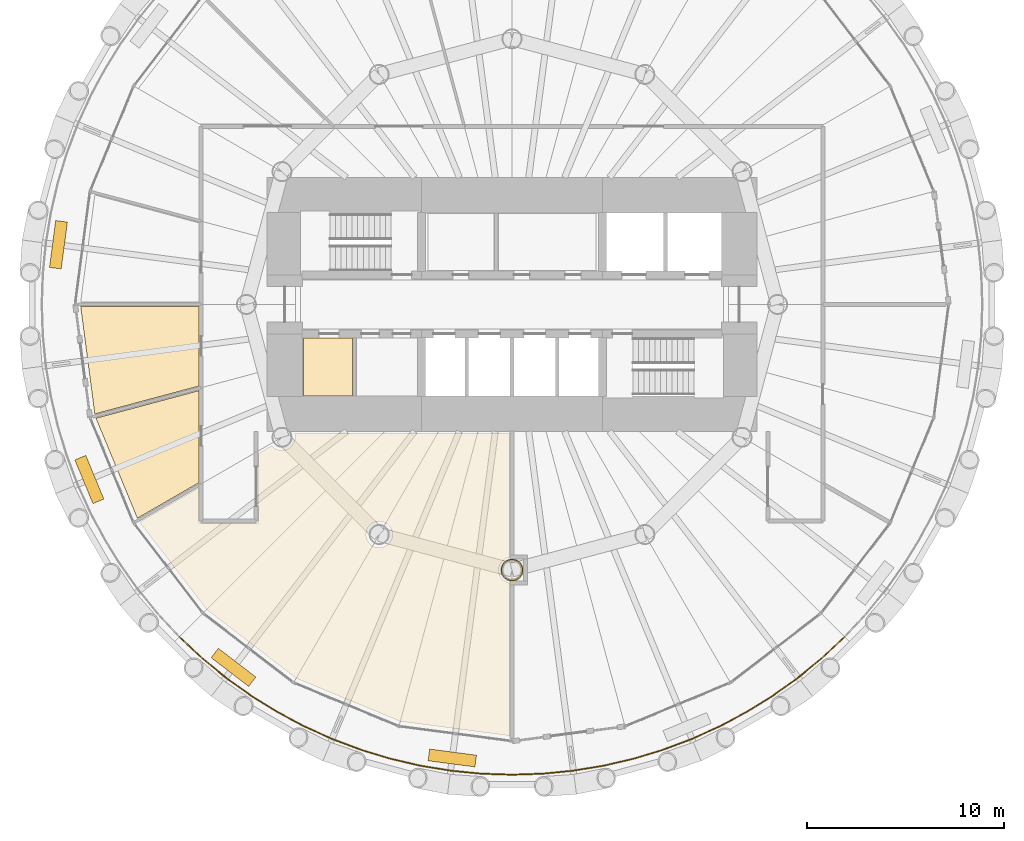
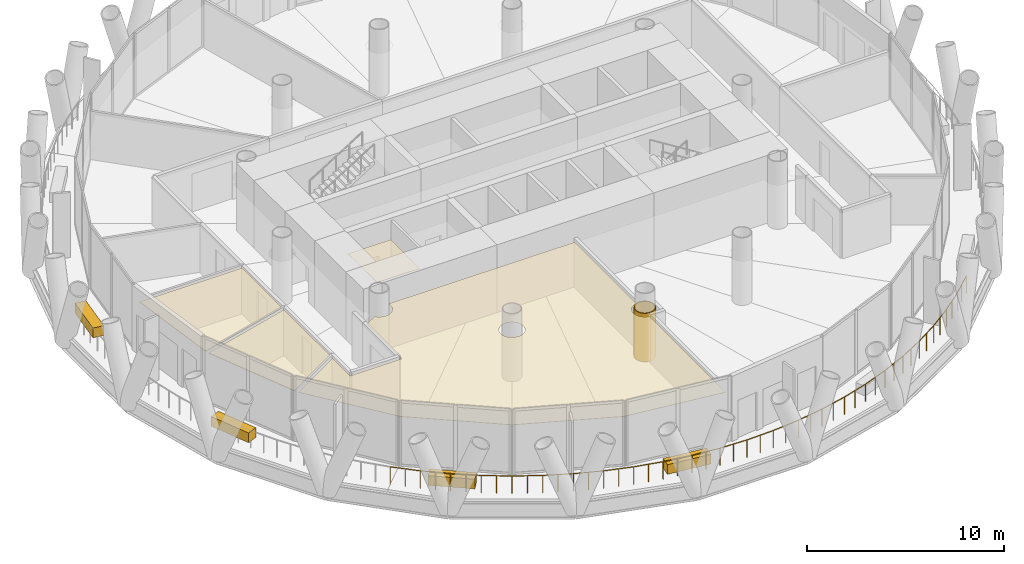
# One storey, part 11 of 14: 9 coverings, 1 railing.
"""IFC4 building model written with IfcOpenShell, lengths in metres."""

from ifc_helpers import new_model, si_unit, direction, frame, origin, origin_2d, place, context, subcontext, project, spatial, polyline, rectangle, circle, outline, extrude, material, layer, layer_set, type_object, element, save


model = new_model("IFC4")

# Units and contexts
model_context = context("Model", 3, precision=1e-05, world=origin(), true_north=direction((0.0, 1.0)))
body_context = subcontext(model_context, "Body", "Model", "MODEL_VIEW")
ifc_project = project(units=[si_unit("LENGTHUNIT", "METRE"), si_unit("AREAUNIT", "SQUARE_METRE"), si_unit("VOLUMEUNIT", "CUBIC_METRE"), si_unit("PLANEANGLEUNIT", "RADIAN"), si_unit("MASSUNIT", "GRAM", prefix="KILO")], contexts=[model_context])

# Site, building, storey
site_placement = place(None, origin())
site = spatial("IfcSite", under=ifc_project, at=site_placement, CompositionType="ELEMENT")
building_placement = place(site_placement, origin())
building = spatial("IfcBuilding", under=site, at=building_placement, Name="Qaws Media Tower", CompositionType="ELEMENT")
storey_placement = place(building_placement, frame((0.0, 0.0, 168.800048828125)))
storey = spatial("IfcBuildingStorey", under=building, at=storey_placement, Name="L38", CompositionType="ELEMENT", Elevation=168.800048828125)

# Coverings
ifc_material_1 = material(Name="40 perforated acoustic panels with mineral wool backing, suspended", Category="mineral fibre")
ifc_layer_1 = layer(ifc_material_1, 0.0400390625)
ifc_layer_set_1 = layer_set([ifc_layer_1], Name="Acoustic panel ceiling 40")
covering_type_1 = type_object("IfcCoveringType", Name="Acoustic panel ceiling 40", PredefinedType="CEILING", material=ifc_layer_set_1)
covering_1_placement = place(storey_placement, frame((0.0, 0.0, 2.849853515625)))
element("IfcCovering", 1, at=covering_1_placement, inside=storey, type_object=covering_type_1, Name="CL3 ceiling L38-06 Interview room", PredefinedType="CEILING", context=body_context, shape_type="SweptSolid", body=[
    extrude(outline(polyline([(38.07958984375, 49.887451171875), (44.08740234375, 49.887451171875), (44.08740234375, 45.852783203125), (38.79736328125, 44.435302734375), (38.07958984375, 49.887451171875)])), origin(), (0.0, 0.0, 1.0), 0.0400390625),
])
covering_2_placement = place(storey_placement, frame((0.0, 0.0, 2.849853515625)))
element("IfcCovering", 2, at=covering_2_placement, inside=storey, type_object=covering_type_1, Name="CL3 ceiling L38-07 Interview room", PredefinedType="CEILING", context=body_context, shape_type="SweptSolid", body=[
    extrude(outline(polyline([(38.855712890625, 44.218017578125), (44.08740234375, 45.619873046875), (44.08740234375, 40.94287109375), (40.960205078125, 39.13720703125), (38.855712890625, 44.218017578125)])), origin(), (0.0, 0.0, 1.0), 0.0400390625),
])

# Railing
ifc_material_2 = material(Name="Stainless steel and glass guard", Category="steel")
railing_type = type_object("IfcRailingType", Name="Balcony guard 1100", PredefinedType="GUARDRAIL", material=ifc_material_2)
railing_placement = place(storey_placement, frame((43.10009765625, 33.10009765625, 0.0)))
element("IfcRailing", 3, at=railing_placement, inside=storey, type_object=railing_type, Name="GR1 balcony guard L38-3", PredefinedType="GUARDRAIL", context=body_context, shape_type="SweptSolid", body=[
    extrude(circle(Radius=0.02392578125, at=origin_2d()), frame((0.0, 0.0, 1.076171875), z_axis=(0.729907055761, -0.683546406582, 0.0), x_axis=(0.683546406582, 0.729907055761, 0.0)), (0.0, 0.0, 1.0), 1.56396484375),
    extrude(circle(Radius=0.02392578125, at=origin_2d()), frame((1.1416015625, -1.069091796875, 1.076171875), z_axis=(0.773010558404, -0.63439315617, 0.0), x_axis=(0.63439315617, 0.773010558404, 0.0)), (0.0, 0.0, 1.0), 1.56396484375),
    extrude(circle(Radius=0.02392578125, at=origin_2d()), frame((2.3505859375, -2.061279296875, 1.076171875), z_axis=(0.812867633401, -0.582448461728, 0.0), x_axis=(0.582448461728, 0.812867633401, 0.0)), (0.0, 0.0, 1.0), 1.56396484375),
    extrude(circle(Radius=0.02392578125, at=origin_2d()), frame((3.621826171875, -2.97216796875, 1.076171875), z_axis=(0.849188837799, -0.528089308506, 0.0), x_axis=(0.528089308506, 0.849188837799, 0.0)), (0.0, 0.0, 1.0), 1.56396484375),
    extrude(circle(Radius=0.02392578125, at=origin_2d()), frame((4.949951171875, -3.798095703125, 1.076171875), z_axis=(0.881885786947, -0.471463104369, 0.0), x_axis=(0.471463104369, 0.881885786947, 0.0)), (0.0, 0.0, 1.0), 1.56396484375),
    extrude(circle(Radius=0.02392578125, at=origin_2d()), frame((6.3291015625, -4.535400390625, 1.076171875), z_axis=(0.91085232909, -0.412732400705, 0.0), x_axis=(0.412732400705, 0.91085232909, 0.0)), (0.0, 0.0, 1.0), 1.56396484375),
    extrude(circle(Radius=0.02392578125, at=origin_2d()), frame((7.753662109375, -5.180908203125, 1.076171875), z_axis=(0.935943724026, -0.352149606638, 0.0), x_axis=(0.352149606638, 0.935943724026, 0.0)), (0.0, 0.0, 1.0), 1.56396484375),
    extrude(circle(Radius=0.02392578125, at=origin_2d()), frame((9.217529296875, -5.731689453125, 1.076171875), z_axis=(0.956919309344, -0.290353982933, 0.0), x_axis=(0.290353982933, 0.956919309344, 0.0)), (0.0, 0.0, 1.0), 1.56396484375),
    extrude(circle(Radius=0.02392578125, at=origin_2d()), frame((10.714111328125, -6.185791015625, 1.076171875), z_axis=(0.973902199661, -0.226968071535, 0.0), x_axis=(0.226968071535, 0.973902199661, 0.0)), (0.0, 0.0, 1.0), 1.56396484375),
    extrude(circle(Radius=0.02392578125, at=origin_2d()), frame((12.2373046875, -6.540771484375, 1.076171875), z_axis=(0.986629183023, -0.162981149854, 0.0), x_axis=(0.162981149854, 0.986629183023, 0.0)), (0.0, 0.0, 1.0), 1.56396484375),
    extrude(circle(Radius=0.02392578125, at=origin_2d()), frame((13.7802734375, -6.795654296875, 1.076171875), z_axis=(0.995182940267, -0.098035276312, 0.0), x_axis=(0.098035276312, 0.995182940267, 0.0)), (0.0, 0.0, 1.0), 1.56396484375),
    extrude(circle(Radius=0.02392578125, at=origin_2d()), frame((15.336669921875, -6.948974609375, 1.076171875), z_axis=(0.999467709508, -0.032623575088, 0.0), x_axis=(0.032623575088, 0.999467709508, 0.0)), (0.0, 0.0, 1.0), 1.56396484375),
    extrude(circle(Radius=0.02392578125, at=origin_2d()), frame((16.89990234375, -7.0, 1.076171875), z_axis=(0.999467709508, 0.032623575088, 0.0), x_axis=(-0.032623575088, 0.999467709508, 0.0)), (0.0, 0.0, 1.0), 1.56396484375),
    extrude(circle(Radius=0.02392578125, at=origin_2d()), frame((18.463134765625, -6.948974609375, 1.076171875), z_axis=(0.995182940267, 0.098035276312, 0.0), x_axis=(-0.098035276312, 0.995182940267, 0.0)), (0.0, 0.0, 1.0), 1.56396484375),
    extrude(circle(Radius=0.02392578125, at=origin_2d()), frame((20.01953125, -6.795654296875, 1.076171875), z_axis=(0.986629183023, 0.162981149854, 0.0), x_axis=(-0.162981149854, 0.986629183023, 0.0)), (0.0, 0.0, 1.0), 1.56396484375),
    extrude(circle(Radius=0.02392578125, at=origin_2d()), frame((21.5625, -6.540771484375, 1.076171875), z_axis=(0.973902199661, 0.226968071535, 0.0), x_axis=(-0.226968071535, 0.973902199661, 0.0)), (0.0, 0.0, 1.0), 1.56396484375),
    extrude(circle(Radius=0.02392578125, at=origin_2d()), frame((23.085693359375, -6.185791015625, 1.076171875), z_axis=(0.956919309344, 0.290353982933, 0.0), x_axis=(-0.290353982933, 0.956919309344, 0.0)), (0.0, 0.0, 1.0), 1.56396484375),
    extrude(circle(Radius=0.02392578125, at=origin_2d()), frame((24.582275390625, -5.731689453125, 1.076171875), z_axis=(0.935943724026, 0.352149606638, 0.0), x_axis=(-0.352149606638, 0.935943724026, 0.0)), (0.0, 0.0, 1.0), 1.56396484375),
    extrude(circle(Radius=0.02392578125, at=origin_2d()), frame((26.046142578125, -5.180908203125, 1.076171875), z_axis=(0.91085232909, 0.412732400705, 0.0), x_axis=(-0.412732400705, 0.91085232909, 0.0)), (0.0, 0.0, 1.0), 1.56396484375),
    extrude(circle(Radius=0.02392578125, at=origin_2d()), frame((27.470703125, -4.535400390625, 1.076171875), z_axis=(0.881885786947, 0.471463104369, 0.0), x_axis=(-0.471463104369, 0.881885786947, 0.0)), (0.0, 0.0, 1.0), 1.56396484375),
    extrude(circle(Radius=0.02392578125, at=origin_2d()), frame((28.849853515625, -3.798095703125, 1.076171875), z_axis=(0.849188837799, 0.528089308506, 0.0), x_axis=(-0.528089308506, 0.849188837799, 0.0)), (0.0, 0.0, 1.0), 1.56396484375),
    extrude(circle(Radius=0.02392578125, at=origin_2d()), frame((30.177978515625, -2.97216796875, 1.076171875), z_axis=(0.812867633401, 0.582448461728, 0.0), x_axis=(-0.582448461728, 0.812867633401, 0.0)), (0.0, 0.0, 1.0), 1.56396484375),
    extrude(circle(Radius=0.02392578125, at=origin_2d()), frame((31.44921875, -2.061279296875, 1.076171875), z_axis=(0.773010558404, 0.63439315617, 0.0), x_axis=(-0.63439315617, 0.773010558404, 0.0)), (0.0, 0.0, 1.0), 1.56396484375),
    extrude(circle(Radius=0.02392578125, at=origin_2d()), frame((32.658203125, -1.069091796875, 1.076171875), z_axis=(0.729907055761, 0.683546406582, 0.0), x_axis=(-0.683546406582, 0.729907055761, 0.0)), (0.0, 0.0, 1.0), 1.56396484375),
    extrude(circle(Radius=0.02099609375, at=origin_2d()), origin(), (0.0, 0.0, 1.0), 1.052001953125),
    extrude(circle(Radius=0.02099609375, at=origin_2d()), frame((0.57080078125, -0.53466796875, 0.0)), (0.0, 0.0, 1.0), 1.052001953125),
    extrude(circle(Radius=0.02099609375, at=origin_2d()), frame((1.1416015625, -1.069091796875, 0.0)), (0.0, 0.0, 1.0), 1.052001953125),
    extrude(circle(Radius=0.02099609375, at=origin_2d()), frame((1.74609375, -1.565185546875, 0.0)), (0.0, 0.0, 1.0), 1.052001953125),
    extrude(circle(Radius=0.02099609375, at=origin_2d()), frame((2.3505859375, -2.061279296875, 0.0)), (0.0, 0.0, 1.0), 1.052001953125),
    extrude(circle(Radius=0.02099609375, at=origin_2d()), frame((2.986328125, -2.5166015625, 0.0)), (0.0, 0.0, 1.0), 1.052001953125),
    extrude(circle(Radius=0.02099609375, at=origin_2d()), frame((3.621826171875, -2.97216796875, 0.0)), (0.0, 0.0, 1.0), 1.052001953125),
    extrude(circle(Radius=0.02099609375, at=origin_2d()), frame((4.285888671875, -3.38525390625, 0.0)), (0.0, 0.0, 1.0), 1.052001953125),
    extrude(circle(Radius=0.02099609375, at=origin_2d()), frame((4.949951171875, -3.798095703125, 0.0)), (0.0, 0.0, 1.0), 1.052001953125),
    extrude(circle(Radius=0.02099609375, at=origin_2d()), frame((5.6396484375, -4.166748046875, 0.0)), (0.0, 0.0, 1.0), 1.052001953125),
    extrude(circle(Radius=0.02099609375, at=origin_2d()), frame((6.3291015625, -4.535400390625, 0.0)), (0.0, 0.0, 1.0), 1.052001953125),
    extrude(circle(Radius=0.02099609375, at=origin_2d()), frame((7.04150390625, -4.858154296875, 0.0)), (0.0, 0.0, 1.0), 1.052001953125),
    extrude(circle(Radius=0.02099609375, at=origin_2d()), frame((7.753662109375, -5.180908203125, 0.0)), (0.0, 0.0, 1.0), 1.052001953125),
    extrude(circle(Radius=0.02099609375, at=origin_2d()), frame((8.485595703125, -5.456298828125, 0.0)), (0.0, 0.0, 1.0), 1.052001953125),
    extrude(circle(Radius=0.02099609375, at=origin_2d()), frame((9.217529296875, -5.731689453125, 0.0)), (0.0, 0.0, 1.0), 1.052001953125),
    extrude(circle(Radius=0.02099609375, at=origin_2d()), frame((9.9658203125, -5.958740234375, 0.0)), (0.0, 0.0, 1.0), 1.052001953125),
    extrude(circle(Radius=0.02099609375, at=origin_2d()), frame((10.714111328125, -6.185791015625, 0.0)), (0.0, 0.0, 1.0), 1.052001953125),
    extrude(circle(Radius=0.02099609375, at=origin_2d()), frame((11.4755859375, -6.36328125, 0.0)), (0.0, 0.0, 1.0), 1.052001953125),
    extrude(circle(Radius=0.02099609375, at=origin_2d()), frame((12.2373046875, -6.540771484375, 0.0)), (0.0, 0.0, 1.0), 1.052001953125),
    extrude(circle(Radius=0.02099609375, at=origin_2d()), frame((13.0087890625, -6.668212890625, 0.0)), (0.0, 0.0, 1.0), 1.052001953125),
    extrude(circle(Radius=0.02099609375, at=origin_2d()), frame((13.7802734375, -6.795654296875, 0.0)), (0.0, 0.0, 1.0), 1.052001953125),
    extrude(circle(Radius=0.02099609375, at=origin_2d()), frame((14.55859375, -6.872314453125, 0.0)), (0.0, 0.0, 1.0), 1.052001953125),
    extrude(circle(Radius=0.02099609375, at=origin_2d()), frame((15.336669921875, -6.948974609375, 0.0)), (0.0, 0.0, 1.0), 1.052001953125),
    extrude(circle(Radius=0.02099609375, at=origin_2d()), frame((16.1181640625, -6.974609375, 0.0)), (0.0, 0.0, 1.0), 1.052001953125),
    extrude(circle(Radius=0.02099609375, at=origin_2d()), frame((16.89990234375, -7.0, 0.0)), (0.0, 0.0, 1.0), 1.052001953125),
    extrude(circle(Radius=0.02099609375, at=origin_2d()), frame((17.681640625, -6.974609375, 0.0)), (0.0, 0.0, 1.0), 1.052001953125),
    extrude(circle(Radius=0.02099609375, at=origin_2d()), frame((18.463134765625, -6.948974609375, 0.0)), (0.0, 0.0, 1.0), 1.052001953125),
    extrude(circle(Radius=0.02099609375, at=origin_2d()), frame((19.2412109375, -6.872314453125, 0.0)), (0.0, 0.0, 1.0), 1.052001953125),
    extrude(circle(Radius=0.02099609375, at=origin_2d()), frame((20.01953125, -6.795654296875, 0.0)), (0.0, 0.0, 1.0), 1.052001953125),
    extrude(circle(Radius=0.02099609375, at=origin_2d()), frame((20.791015625, -6.668212890625, 0.0)), (0.0, 0.0, 1.0), 1.052001953125),
    extrude(circle(Radius=0.02099609375, at=origin_2d()), frame((21.5625, -6.540771484375, 0.0)), (0.0, 0.0, 1.0), 1.052001953125),
    extrude(circle(Radius=0.02099609375, at=origin_2d()), frame((22.32421875, -6.36328125, 0.0)), (0.0, 0.0, 1.0), 1.052001953125),
    extrude(circle(Radius=0.02099609375, at=origin_2d()), frame((23.085693359375, -6.185791015625, 0.0)), (0.0, 0.0, 1.0), 1.052001953125),
    extrude(circle(Radius=0.02099609375, at=origin_2d()), frame((23.833984375, -5.958740234375, 0.0)), (0.0, 0.0, 1.0), 1.052001953125),
    extrude(circle(Radius=0.02099609375, at=origin_2d()), frame((24.582275390625, -5.731689453125, 0.0)), (0.0, 0.0, 1.0), 1.052001953125),
    extrude(circle(Radius=0.02099609375, at=origin_2d()), frame((25.314208984375, -5.456298828125, 0.0)), (0.0, 0.0, 1.0), 1.052001953125),
    extrude(circle(Radius=0.02099609375, at=origin_2d()), frame((26.046142578125, -5.180908203125, 0.0)), (0.0, 0.0, 1.0), 1.052001953125),
    extrude(circle(Radius=0.02099609375, at=origin_2d()), frame((26.75830078125, -4.858154296875, 0.0)), (0.0, 0.0, 1.0), 1.052001953125),
    extrude(circle(Radius=0.02099609375, at=origin_2d()), frame((27.470703125, -4.535400390625, 0.0)), (0.0, 0.0, 1.0), 1.052001953125),
    extrude(circle(Radius=0.02099609375, at=origin_2d()), frame((28.16015625, -4.166748046875, 0.0)), (0.0, 0.0, 1.0), 1.052001953125),
    extrude(circle(Radius=0.02099609375, at=origin_2d()), frame((28.849853515625, -3.798095703125, 0.0)), (0.0, 0.0, 1.0), 1.052001953125),
    extrude(circle(Radius=0.02099609375, at=origin_2d()), frame((29.513916015625, -3.38525390625, 0.0)), (0.0, 0.0, 1.0), 1.052001953125),
    extrude(circle(Radius=0.02099609375, at=origin_2d()), frame((30.177978515625, -2.97216796875, 0.0)), (0.0, 0.0, 1.0), 1.052001953125),
    extrude(circle(Radius=0.02099609375, at=origin_2d()), frame((30.8134765625, -2.5166015625, 0.0)), (0.0, 0.0, 1.0), 1.052001953125),
    extrude(circle(Radius=0.02099609375, at=origin_2d()), frame((31.44921875, -2.061279296875, 0.0)), (0.0, 0.0, 1.0), 1.052001953125),
    extrude(circle(Radius=0.02099609375, at=origin_2d()), frame((32.0537109375, -1.565185546875, 0.0)), (0.0, 0.0, 1.0), 1.052001953125),
    extrude(circle(Radius=0.02099609375, at=origin_2d()), frame((32.658203125, -1.069091796875, 0.0)), (0.0, 0.0, 1.0), 1.052001953125),
    extrude(circle(Radius=0.02099609375, at=origin_2d()), frame((33.22900390625, -0.53466796875, 0.0)), (0.0, 0.0, 1.0), 1.052001953125),
    extrude(circle(Radius=0.02099609375, at=origin_2d()), frame((33.7998046875, 0.0, 0.0)), (0.0, 0.0, 1.0), 1.052001953125),
])

# Coverings
ifc_material_3 = material(Name="Two layers 15 fire-rated gypsum board on steel framing", Category="steel")
ifc_layer_2 = layer(ifc_material_3, 0.050048828125)
ifc_layer_set_2 = layer_set([ifc_layer_2], Name="Column fire casing")
covering_type_2 = type_object("IfcCoveringType", Name="Column fire casing", PredefinedType="CLADDING", material=ifc_layer_set_2)
covering_3_placement = place(storey_placement, origin())
element("IfcCovering", 4, at=covering_3_placement, inside=storey, type_object=covering_type_2, Name="CC1 column casing L38", PredefinedType="CLADDING", context=body_context, shape_type="SweptSolid", body=[
    extrude(outline(polyline([(60.56298828125, 36.5), (60.55810546875, 36.426513671875), (60.543701171875, 36.354248046875), (60.52001953125, 36.284423828125), (60.487548828125, 36.218505859375), (60.44677734375, 36.1572265625), (60.398193359375, 36.101806640625), (60.3427734375, 36.05322265625), (60.281494140625, 36.012451171875), (60.215576171875, 35.97998046875), (60.145751953125, 35.956298828125), (60.073486328125, 35.94189453125), (60.0, 35.93701171875), (59.926513671875, 35.94189453125), (59.854248046875, 35.956298828125), (59.784423828125, 35.97998046875), (59.718505859375, 36.012451171875), (59.6572265625, 36.05322265625), (59.601806640625, 36.101806640625), (59.55322265625, 36.1572265625), (59.512451171875, 36.218505859375), (59.47998046875, 36.284423828125), (59.456298828125, 36.354248046875), (59.44189453125, 36.426513671875), (59.43701171875, 36.5), (59.44189453125, 36.573486328125), (59.456298828125, 36.645751953125), (59.47998046875, 36.715576171875), (59.512451171875, 36.781494140625), (59.55322265625, 36.8427734375), (59.601806640625, 36.898193359375), (59.6572265625, 36.94677734375), (59.718505859375, 36.987548828125), (59.784423828125, 37.02001953125), (59.854248046875, 37.043701171875), (59.926513671875, 37.05810546875), (60.0, 37.06298828125), (60.073486328125, 37.05810546875), (60.145751953125, 37.043701171875), (60.215576171875, 37.02001953125), (60.281494140625, 36.987548828125), (60.3427734375, 36.94677734375), (60.398193359375, 36.898193359375), (60.44677734375, 36.8427734375), (60.487548828125, 36.781494140625), (60.52001953125, 36.715576171875), (60.543701171875, 36.645751953125), (60.55810546875, 36.573486328125), (60.56298828125, 36.5)]), holes=[polyline([(60.510986328125, 36.5), (60.506591796875, 36.433349609375), (60.49365234375, 36.36767578125), (60.47216796875, 36.304443359375), (60.4423828125, 36.244384765625), (60.405517578125, 36.18896484375), (60.361328125, 36.138671875), (60.31103515625, 36.094482421875), (60.255615234375, 36.0576171875), (60.195556640625, 36.02783203125), (60.13232421875, 36.00634765625), (60.066650390625, 35.993408203125), (60.0, 35.989013671875), (59.933349609375, 35.993408203125), (59.86767578125, 36.00634765625), (59.804443359375, 36.02783203125), (59.744384765625, 36.0576171875), (59.68896484375, 36.094482421875), (59.638671875, 36.138671875), (59.594482421875, 36.18896484375), (59.5576171875, 36.244384765625), (59.52783203125, 36.304443359375), (59.50634765625, 36.36767578125), (59.493408203125, 36.433349609375), (59.489013671875, 36.5), (59.493408203125, 36.566650390625), (59.50634765625, 36.63232421875), (59.52783203125, 36.695556640625), (59.5576171875, 36.755615234375), (59.594482421875, 36.81103515625), (59.638671875, 36.861328125), (59.68896484375, 36.905517578125), (59.744384765625, 36.9423828125), (59.804443359375, 36.97216796875), (59.86767578125, 36.99365234375), (59.933349609375, 37.006591796875), (60.0, 37.010986328125), (60.066650390625, 37.006591796875), (60.13232421875, 36.99365234375), (60.195556640625, 36.97216796875), (60.255615234375, 36.9423828125), (60.31103515625, 36.905517578125), (60.361328125, 36.861328125), (60.405517578125, 36.81103515625), (60.4423828125, 36.755615234375), (60.47216796875, 36.695556640625), (60.49365234375, 36.63232421875), (60.506591796875, 36.566650390625), (60.510986328125, 36.5)])]), origin(), (0.0, 0.0, 1.0), 3.011962890625),
])
ifc_material_4 = material(Name="600 x 600 mineral fibre tiles in exposed grid, suspended", Category="mineral fibre")
ifc_layer_3 = layer(ifc_material_4, 0.02001953125)
ifc_layer_set_3 = layer_set([ifc_layer_3], Name="Mineral fibre tile ceiling 20")
covering_type_3 = type_object("IfcCoveringType", Name="Mineral fibre tile ceiling 20", PredefinedType="CEILING", material=ifc_layer_set_3)
covering_4_placement = place(storey_placement, frame((0.0, 0.0, 2.849853515625)))
element("IfcCovering", 5, at=covering_4_placement, inside=storey, type_object=covering_type_3, Name="CL1 ceiling L38-08 HR office", PredefinedType="CEILING", context=body_context, shape_type="SweptSolid", body=[
    extrude(outline(polyline([(54.32275390625, 28.812255859375), (49.032470703125, 31.00341796875), (44.489501953125, 34.489501953125), (41.072509765625, 38.9423828125), (44.08740234375, 40.68310546875), (44.08740234375, 38.887451171875), (47.112548828125, 38.887451171875), (47.112548828125, 42.429443359375), (47.795654296875, 42.823974609375), (47.836181640625, 42.777587890625), (47.902099609375, 42.719970703125), (47.974609375, 42.67138671875), (48.052978515625, 42.6328125), (48.1357421875, 42.604736328125), (48.221435546875, 42.587646484375), (48.30859375, 42.58203125), (48.395751953125, 42.587646484375), (48.4814453125, 42.604736328125), (48.564208984375, 42.6328125), (48.642578125, 42.67138671875), (48.71533203125, 42.719970703125), (48.781005859375, 42.777587890625), (48.838623046875, 42.84326171875), (48.88720703125, 42.916015625), (48.92578125, 42.994384765625), (48.953857421875, 43.0771484375), (48.970947265625, 43.162841796875), (48.976806640625, 43.25), (48.970947265625, 43.337158203125), (48.953857421875, 43.4228515625), (48.948974609375, 43.4375), (59.887451171875, 43.4375), (59.887451171875, 37.1572265625), (59.8271484375, 37.145263671875), (59.744384765625, 37.1171875), (59.666015625, 37.07861328125), (59.59326171875, 37.030029296875), (59.527587890625, 36.972412109375), (59.469970703125, 36.90673828125), (59.42138671875, 36.833984375), (59.3828125, 36.755615234375), (59.354736328125, 36.6728515625), (59.337646484375, 36.587158203125), (59.33203125, 36.5), (59.337646484375, 36.412841796875), (59.354736328125, 36.3271484375), (59.3828125, 36.244384765625), (59.42138671875, 36.166015625), (59.469970703125, 36.09326171875), (59.527587890625, 36.027587890625), (59.59326171875, 35.969970703125), (59.666015625, 35.92138671875), (59.744384765625, 35.8828125), (59.8271484375, 35.854736328125), (59.887451171875, 35.8427734375), (59.887451171875, 28.07958984375), (54.32275390625, 28.812255859375)]), holes=[polyline([(53.895263671875, 38.1357421875), (53.912353515625, 38.221435546875), (53.91796875, 38.30859375), (53.912353515625, 38.395751953125), (53.895263671875, 38.4814453125), (53.8671875, 38.564208984375), (53.82861328125, 38.642578125), (53.780029296875, 38.71533203125), (53.722412109375, 38.781005859375), (53.65673828125, 38.838623046875), (53.583984375, 38.88720703125), (53.505615234375, 38.92578125), (53.4228515625, 38.953857421875), (53.337158203125, 38.970947265625), (53.25, 38.976806640625), (53.162841796875, 38.970947265625), (53.0771484375, 38.953857421875), (52.994384765625, 38.92578125), (52.916015625, 38.88720703125), (52.84326171875, 38.838623046875), (52.777587890625, 38.781005859375), (52.719970703125, 38.71533203125), (52.67138671875, 38.642578125), (52.6328125, 38.564208984375), (52.604736328125, 38.4814453125), (52.587646484375, 38.395751953125), (52.58203125, 38.30859375), (52.587646484375, 38.221435546875), (52.604736328125, 38.1357421875), (52.6328125, 38.052978515625), (52.67138671875, 37.974609375), (52.719970703125, 37.902099609375), (52.777587890625, 37.836181640625), (52.84326171875, 37.77880859375), (52.916015625, 37.730224609375), (52.994384765625, 37.69140625), (53.0771484375, 37.663330078125), (53.162841796875, 37.646484375), (53.25, 37.640625), (53.337158203125, 37.646484375), (53.4228515625, 37.663330078125), (53.505615234375, 37.69140625), (53.583984375, 37.730224609375), (53.65673828125, 37.77880859375), (53.722412109375, 37.836181640625), (53.780029296875, 37.902099609375), (53.82861328125, 37.974609375), (53.8671875, 38.052978515625), (53.895263671875, 38.1357421875)])]), origin(), (0.0, 0.0, 1.0), 0.02001953125),
])
ifc_material_5 = material(Name="Precast concrete planter with trailing planting", Category="concrete")
ifc_layer_4 = layer(ifc_material_5, 0.60009765625)
ifc_layer_set_4 = layer_set([ifc_layer_4], Name="Planter 2400x600")
covering_type_4 = type_object("IfcCoveringType", Name="Planter 2400x600", PredefinedType="USERDEFINED", material=ifc_layer_set_4)
for number, where, z_axis, x_axis, name in (
    (6, (36.948974609375, 53.03466796875, 0.0), (0.0, 0.0, 1.0), (-0.13052619222, -0.991444861374, 0.0), "PL1 balcony planter L38-06"),
    (7, (38.519775390625, 41.1025390625, 0.0), (0.0, 0.0, 1.0), (0.382683432365, -0.923879532511, 0.0), "PL1 balcony planter L38-07"),
    (8, (45.84619140625, 31.554443359375, 0.0), (0.0, 0.0, 1.0), (0.793353340291, -0.608761429009, 0.0), "PL1 balcony planter L38-08"),
    (9, (56.96533203125, 26.948974609375, 0.0), (0.0, 0.0, 1.0), (0.991444861374, -0.13052619222, 0.0), "PL1 balcony planter L38-09"),
):
    element("IfcCovering", number, at=place(storey_placement, frame(where, z_axis=z_axis, x_axis=x_axis)), inside=storey, type_object=covering_type_4, Name=name, ObjectType="PLANTER", PredefinedType="USERDEFINED", context=body_context, shape_type="SweptSolid", body=[
        extrude(rectangle(XDim=2.39990234375, YDim=0.60009765625, at=origin_2d()), origin(), (0.0, 0.0, 1.0), 0.60009765625),
    ])
ifc_material_6 = material(Name="Two layers 12.5 moisture-resistant plasterboard on suspended metal furring", Category="gypsum")
ifc_layer_5 = layer(ifc_material_6, 0.02490234375)
ifc_layer_set_5 = layer_set([ifc_layer_5], Name="Plasterboard ceiling 25")
covering_type_5 = type_object("IfcCoveringType", Name="Plasterboard ceiling 25", PredefinedType="CEILING", material=ifc_layer_set_5)
covering_5_placement = place(storey_placement, frame((0.0, 0.0, 2.849853515625)))
element("IfcCovering", 10, at=covering_5_placement, inside=storey, type_object=covering_type_5, Name="CL2 ceiling L38-C04 Accessible WC", PredefinedType="CEILING", context=body_context, shape_type="SweptSolid", body=[
    extrude(outline(polyline([(49.39990234375, 45.35009765625), (49.39990234375, 48.300048828125), (51.89990234375, 48.300048828125), (51.89990234375, 45.35009765625), (49.39990234375, 45.35009765625)])), origin(), (0.0, 0.0, 1.0), 0.025146484375),
])

save(model, "model.ifc")
